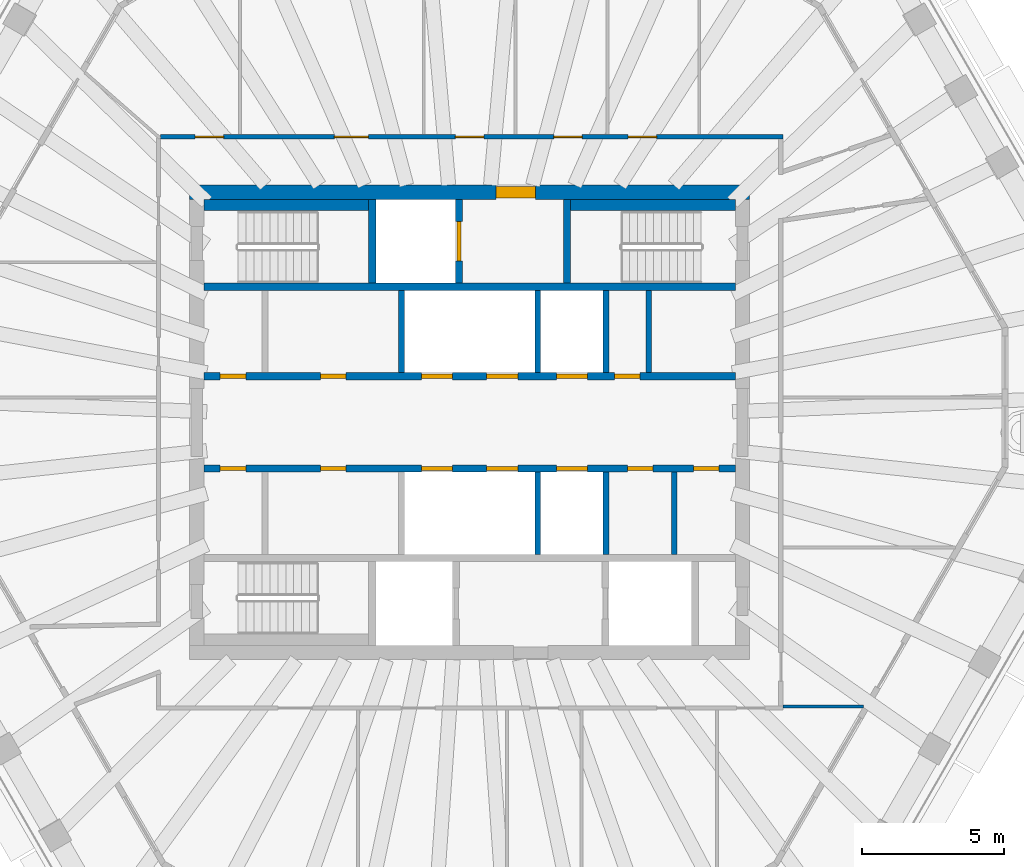
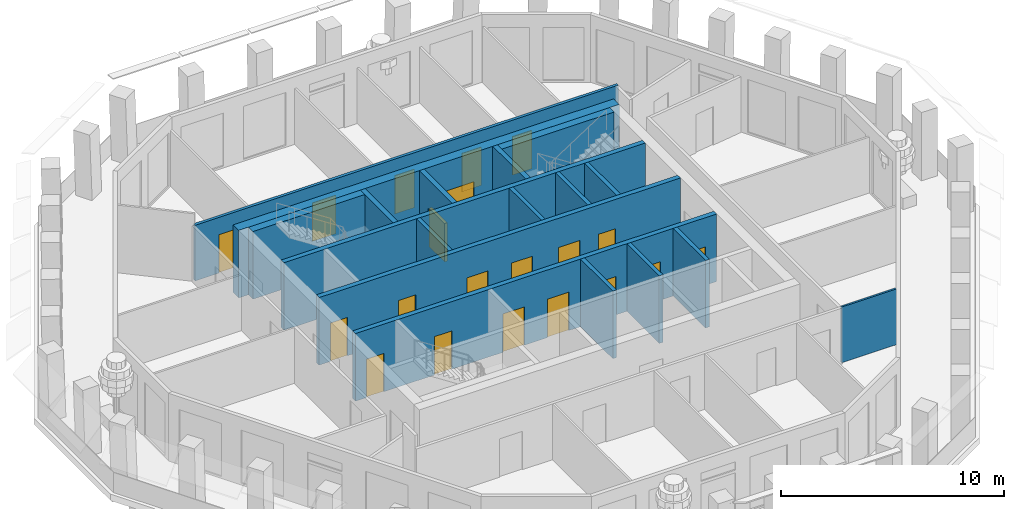
# One storey, part 5 of 11: 20 doors, 18 walls, 20 openings.
"""IFC4 building model written with IfcOpenShell, lengths in metres."""

from ifc_helpers import new_model, si_unit, direction, frame, frame_2d, origin, place, context, subcontext, project, spatial, rectangle, extrude, material, layer, layer_set, type_object, element, fill, save


model = new_model("IFC4")

# Units and contexts
model_context = context("Model", 3, precision=1e-05, world=origin(), true_north=direction((0.0, 1.0)))
body_context = subcontext(model_context, "Body", "Model", "MODEL_VIEW")
ifc_project = project(units=[si_unit("LENGTHUNIT", "METRE"), si_unit("AREAUNIT", "SQUARE_METRE"), si_unit("VOLUMEUNIT", "CUBIC_METRE"), si_unit("PLANEANGLEUNIT", "RADIAN"), si_unit("MASSUNIT", "GRAM", prefix="KILO")], contexts=[model_context])

# Site, building, storey
site_placement = place(None, origin())
site = spatial("IfcSite", under=ifc_project, at=site_placement, CompositionType="ELEMENT")
building_placement = place(site_placement, origin())
building = spatial("IfcBuilding", under=site, at=building_placement, Name="Frailejon Research Tower", CompositionType="ELEMENT")
storey_placement = place(building_placement, frame((0.0, 0.0, 336.60009765625)))
storey = spatial("IfcBuildingStorey", under=building, at=storey_placement, Name="L75", CompositionType="ELEMENT", Elevation=336.60009765625)

# Wall, opening, door
ifc_material_1 = material(Name="Concrete C50/60", Category="concrete")
ifc_layer_1 = layer(ifc_material_1, 0.5)
ifc_layer_set_1 = layer_set([ifc_layer_1], Name="Core shear wall 500 C50/60")
wall_type_1 = type_object("IfcWallType", Name="Core shear wall 500 C50/60", PredefinedType="SHEAR", material=ifc_layer_set_1)
wall_1_placement = place(storey_placement, frame((-9.85009765625, 8.10009765625, 0.0), z_axis=(0.0, 0.0, 1.0), x_axis=(1.0, 0.0, 0.0)))
wall_1 = element("IfcWall", 1, at=wall_1_placement, inside=storey, type_object=wall_type_1, Name="Core shear wall", PredefinedType="SHEAR", context=body_context, shape_type="SweptSolid", body=[
    extrude(rectangle(XDim=19.7001953125, YDim=0.5, at=frame_2d((9.85009765625, 0.0))), origin(), (0.0, 0.0, 1.0), 3.699951171875),
])
opening_1_placement = place(wall_1_placement, frame((10.77490234375, 0.0, 0.0)))
opening_1 = element("IfcOpeningElement", 2, at=opening_1_placement, cuts=wall_1, Name="Opening D9", PredefinedType="OPENING", context=body_context, shape_type="SweptSolid", body=[
    extrude(rectangle(XDim=1.39990234375, YDim=2.10009765625, at=frame_2d((0.699951171875, 1.050048828125))), frame((0.0, 0.260009765625, 0.0), z_axis=(0.0, -1.0, 0.0), x_axis=(1.0, 0.0, 0.0)), (0.0, 0.0, 1.0), 0.52001953125),
])
ifc_material_2 = material(Name="Steel", Category="steel")
door_type_1 = type_object("IfcDoorType", Name="Goods lobby door", OperationType="DOUBLE_DOOR_SINGLE_SWING", PredefinedType="DOOR", material=ifc_material_2)
door_1_placement = place(opening_1_placement, origin())
door_1 = element("IfcDoor", 3, at=door_1_placement, inside=storey, type_object=door_type_1, Name="Goods lobby door", OperationType="DOUBLE_DOOR_SINGLE_SWING", OverallHeight=2.10009765625, OverallWidth=1.39990234375, PredefinedType="DOOR", context=body_context, shape_type="SweptSolid", body=[
    extrude(rectangle(XDim=1.39990234375, YDim=2.10009765625, at=frame_2d((0.699951171875, 1.050048828125))), frame((0.0, 0.199951171875, 0.0), z_axis=(0.0, -1.0, 0.0), x_axis=(1.0, 0.0, 0.0)), (0.0, 0.0, 1.0), 0.39990234375),
])
fill(opening_1, door_1)

# Wall, openings, doors
ifc_material_3 = material(Name="Gypsum board and masonry partition", Category="masonry")
ifc_layer_2 = layer(ifc_material_3, 0.14990234375)
ifc_layer_set_2 = layer_set([ifc_layer_2], Name="Corridor wall EI 60, gypsum on steel studs 150")
wall_type_2 = type_object("IfcWallType", Name="Corridor wall EI 60, gypsum on steel studs 150", PredefinedType="PARTITIONING", material=ifc_layer_set_2)
wall_2_placement = place(storey_placement, frame((-10.875, 10.050048828125, 0.0), z_axis=(0.0, 0.0, 1.0), x_axis=(1.0, 0.0, 0.0)))
wall_2 = element("IfcWall", 4, at=wall_2_placement, inside=storey, type_object=wall_type_2, Name="T:IW:L75:005", PredefinedType="PARTITIONING", context=body_context, shape_type="SweptSolid", body=[
    extrude(rectangle(XDim=21.89990234375, YDim=0.14990234375, at=frame_2d((10.949951171875, 0.0))), origin(), (0.0, 0.0, 1.0), 3.0498046875),
])
opening_2_placement = place(wall_2_placement, frame((16.455810546875, 0.0, 0.0)))
opening_2 = element("IfcOpeningElement", 5, at=opening_2_placement, cuts=wall_2, Name="Opening D2399", PredefinedType="OPENING", context=body_context, shape_type="SweptSolid", body=[
    extrude(rectangle(XDim=1.0, YDim=2.10009765625, at=frame_2d((0.5, 1.050048828125))), frame((0.0, 0.0849609375, 0.0), z_axis=(0.0, -1.0, 0.0), x_axis=(1.0, 0.0, 0.0)), (0.0, 0.0, 1.0), 0.169921875),
])
opening_3_placement = place(wall_2_placement, frame((13.836669921875, 0.0, 0.0)))
opening_3 = element("IfcOpeningElement", 6, at=opening_3_placement, cuts=wall_2, Name="Opening D2400", PredefinedType="OPENING", context=body_context, shape_type="SweptSolid", body=[
    extrude(rectangle(XDim=1.0, YDim=2.10009765625, at=frame_2d((0.5, 1.050048828125))), frame((0.0, 0.0849609375, 0.0), z_axis=(0.0, -1.0, 0.0), x_axis=(1.0, 0.0, 0.0)), (0.0, 0.0, 1.0), 0.169921875),
])
opening_4_placement = place(wall_2_placement, frame((10.375, 0.0, 0.0)))
opening_4 = element("IfcOpeningElement", 7, at=opening_4_placement, cuts=wall_2, Name="Opening D2401", PredefinedType="OPENING", context=body_context, shape_type="SweptSolid", body=[
    extrude(rectangle(XDim=1.0, YDim=2.10009765625, at=frame_2d((0.5, 1.050048828125))), frame((0.0, 0.0849609375, 0.0), z_axis=(0.0, -1.0, 0.0), x_axis=(1.0, 0.0, 0.0)), (0.0, 0.0, 1.0), 0.169921875),
])
opening_5_placement = place(wall_2_placement, frame((6.11181640625, 0.0, 0.0)))
opening_5 = element("IfcOpeningElement", 8, at=opening_5_placement, cuts=wall_2, Name="Opening D2402", PredefinedType="OPENING", context=body_context, shape_type="SweptSolid", body=[
    extrude(rectangle(XDim=1.199951171875, YDim=2.10009765625, at=frame_2d((0.60009765625, 1.050048828125))), frame((0.0, 0.0849609375, 0.0), z_axis=(0.0, -1.0, 0.0), x_axis=(1.0, 0.0, 0.0)), (0.0, 0.0, 1.0), 0.169921875),
])
opening_6_placement = place(wall_2_placement, frame((1.22021484375, 0.0, 0.0)))
opening_6 = element("IfcOpeningElement", 9, at=opening_6_placement, cuts=wall_2, Name="Opening D2403", PredefinedType="OPENING", context=body_context, shape_type="SweptSolid", body=[
    extrude(rectangle(XDim=1.0, YDim=2.10009765625, at=frame_2d((0.5, 1.050048828125))), frame((0.0, 0.0849609375, 0.0), z_axis=(0.0, -1.0, 0.0), x_axis=(1.0, 0.0, 0.0)), (0.0, 0.0, 1.0), 0.169921875),
])
ifc_material_4 = material(Name="Timber door leaf", Category="wood")
door_type_2 = type_object("IfcDoorType", Name="Door single leaf, timber, steel frame 1000", OperationType="NOTDEFINED", PredefinedType="DOOR", material=ifc_material_4)
door_2_placement = place(opening_2_placement, origin())
door_2 = element("IfcDoor", 10, at=door_2_placement, inside=storey, type_object=door_type_2, Name="D2399", OperationType="SINGLE_SWING_LEFT", OverallHeight=2.10009765625, OverallWidth=1.0, PredefinedType="DOOR", context=body_context, shape_type="SweptSolid", body=[
    extrude(rectangle(XDim=1.0, YDim=2.10009765625, at=frame_2d((0.5, 1.050048828125))), frame((0.0, 0.02490234375, 0.0), z_axis=(0.0, -1.0, 0.0), x_axis=(1.0, 0.0, 0.0)), (0.0, 0.0, 1.0), 0.050048828125),
])
fill(opening_2, door_2)
door_3_placement = place(opening_3_placement, origin())
door_3 = element("IfcDoor", 11, at=door_3_placement, inside=storey, type_object=door_type_2, Name="D2400", OperationType="SINGLE_SWING_LEFT", OverallHeight=2.10009765625, OverallWidth=1.0, PredefinedType="DOOR", context=body_context, shape_type="SweptSolid", body=[
    extrude(rectangle(XDim=1.0, YDim=2.10009765625, at=frame_2d((0.5, 1.050048828125))), frame((0.0, 0.02490234375, 0.0), z_axis=(0.0, -1.0, 0.0), x_axis=(1.0, 0.0, 0.0)), (0.0, 0.0, 1.0), 0.050048828125),
])
fill(opening_3, door_3)
door_4_placement = place(opening_4_placement, origin())
door_4 = element("IfcDoor", 12, at=door_4_placement, inside=storey, type_object=door_type_2, Name="D2401", OperationType="SINGLE_SWING_LEFT", OverallHeight=2.10009765625, OverallWidth=1.0, PredefinedType="DOOR", context=body_context, shape_type="SweptSolid", body=[
    extrude(rectangle(XDim=1.0, YDim=2.10009765625, at=frame_2d((0.5, 1.050048828125))), frame((0.0, 0.02490234375, 0.0), z_axis=(0.0, -1.0, 0.0), x_axis=(1.0, 0.0, 0.0)), (0.0, 0.0, 1.0), 0.050048828125),
])
fill(opening_4, door_4)
door_5_placement = place(opening_6_placement, origin())
door_5 = element("IfcDoor", 13, at=door_5_placement, inside=storey, type_object=door_type_2, Name="D2403", OperationType="SINGLE_SWING_RIGHT", OverallHeight=2.10009765625, OverallWidth=1.0, PredefinedType="DOOR", context=body_context, shape_type="SweptSolid", body=[
    extrude(rectangle(XDim=1.0, YDim=2.10009765625, at=frame_2d((0.5, 1.050048828125))), frame((0.0, 0.02490234375, 0.0), z_axis=(0.0, -1.0, 0.0), x_axis=(1.0, 0.0, 0.0)), (0.0, 0.0, 1.0), 0.050048828125),
])
fill(opening_6, door_5)
ifc_material_5 = material(Name="Timber door leaf", Category="wood")
door_type_3 = type_object("IfcDoorType", Name="Door single leaf, timber, steel frame 1200", OperationType="NOTDEFINED", PredefinedType="DOOR", material=ifc_material_5)
door_6_placement = place(opening_5_placement, origin())
door_6 = element("IfcDoor", 14, at=door_6_placement, inside=storey, type_object=door_type_3, Name="D2402", OperationType="DOUBLE_DOOR_SINGLE_SWING", OverallHeight=2.10009765625, OverallWidth=1.199951171875, PredefinedType="DOOR", context=body_context, shape_type="SweptSolid", body=[
    extrude(rectangle(XDim=1.199951171875, YDim=2.10009765625, at=frame_2d((0.60009765625, 1.050048828125))), frame((0.0, 0.02490234375, 0.0), z_axis=(0.0, -1.0, 0.0), x_axis=(1.0, 0.0, 0.0)), (0.0, 0.0, 1.0), 0.050048828125),
])
fill(opening_5, door_6)

# Walls
ifc_material_6 = material(Name="Gypsum board and masonry partition", Category="masonry")
ifc_layer_3 = layer(ifc_material_6, 0.10009765625)
ifc_layer_set_3 = layer_set([ifc_layer_3], Name="Partition, gypsum on steel studs 100")
wall_type_3 = type_object("IfcWallType", Name="Partition, gypsum on steel studs 100", PredefinedType="PARTITIONING", material=ifc_layer_set_3)
wall_3_placement = place(storey_placement, frame((11.02490234375, -9.99951171875, 0.0), z_axis=(0.0, 0.0, 1.0), x_axis=(1.0, 0.0, 0.0)))
element("IfcWall", 15, at=wall_3_placement, inside=storey, type_object=wall_type_3, Name="T:IW:L75:024", PredefinedType="PARTITIONING", context=body_context, shape_type="SweptSolid", body=[
    extrude(rectangle(XDim=2.831787109375, YDim=0.10009765625, at=frame_2d((1.416015625, 0.0))), origin(), (0.0, 0.0, 1.0), 3.0498046875),
])
ifc_material_7 = material(Name="Concrete C50/60", Category="concrete")
ifc_layer_4 = layer(ifc_material_7, 0.199951171875)
ifc_layer_set_4 = layer_set([ifc_layer_4], Name="Shaft wall 200 C50/60")
wall_type_4 = type_object("IfcWallType", Name="Shaft wall 200 C50/60", PredefinedType="SOLIDWALL", material=ifc_layer_set_4)
for number, where, z_axis, x_axis, name in (
    (16, (-2.39990234375, 1.75, 0.0), (0.0, 0.0, 1.0), (0.0, 1.0, 0.0), "Shaft wall"),
    (17, (2.39990234375, 1.75, 0.0), (0.0, 0.0, 1.0), (0.0, 1.0, 0.0), "Shaft wall"),
    (18, (4.800048828125, 1.75, 0.0), (0.0, 0.0, 1.0), (0.0, 1.0, 0.0), "Shaft wall"),
    (19, (6.300048828125, 1.75, 0.0), (0.0, 0.0, 1.0), (0.0, 1.0, 0.0), "Shaft wall"),
    (20, (2.39990234375, -4.64990234375, 0.0), (0.0, 0.0, 1.0), (0.0, 1.0, 0.0), "Shaft wall"),
    (21, (4.800048828125, -4.64990234375, 0.0), (0.0, 0.0, 1.0), (0.0, 1.0, 0.0), "Shaft wall"),
    (22, (7.199951171875, -4.64990234375, 0.0), (0.0, 0.0, 1.0), (0.0, 1.0, 0.0), "Shaft wall"),
):
    element("IfcWall", number, at=place(storey_placement, frame(where, z_axis=z_axis, x_axis=x_axis)), inside=storey, type_object=wall_type_4, Name=name, PredefinedType="SOLIDWALL", context=body_context, shape_type="SweptSolid", body=[
        extrude(rectangle(XDim=2.89990234375, YDim=0.199951171875, at=frame_2d((1.449951171875, 0.0))), origin(), (0.0, 0.0, 1.0), 3.699951171875),
    ])

# Wall, openings, doors
ifc_material_8 = material(Name="Concrete C50/60", Category="concrete")
ifc_layer_5 = layer(ifc_material_8, 0.25)
ifc_layer_set_5 = layer_set([ifc_layer_5], Name="Shaft wall 250 C50/60")
wall_type_5 = type_object("IfcWallType", Name="Shaft wall 250 C50/60", PredefinedType="SOLIDWALL", material=ifc_layer_set_5)
wall_4_placement = place(storey_placement, frame((-9.35009765625, 1.625, 0.0), z_axis=(0.0, 0.0, 1.0), x_axis=(1.0, 0.0, 0.0)))
wall_4 = element("IfcWall", 23, at=wall_4_placement, inside=storey, type_object=wall_type_5, Name="Shaft wall", PredefinedType="SOLIDWALL", context=body_context, shape_type="SweptSolid", body=[
    extrude(rectangle(XDim=18.7001953125, YDim=0.25, at=frame_2d((9.35009765625, 0.0))), origin(), (0.0, 0.0, 1.0), 3.699951171875),
])
opening_7_placement = place(wall_4_placement, frame((7.64990234375, 0.0, 0.0)))
opening_7 = element("IfcOpeningElement", 24, at=opening_7_placement, cuts=wall_4, Name="Opening LD", PredefinedType="OPENING", context=body_context, shape_type="SweptSolid", body=[
    extrude(rectangle(XDim=1.10009765625, YDim=2.10009765625, at=frame_2d((0.550048828125, 1.050048828125))), frame((0.0, 0.135009765625, 0.0), z_axis=(0.0, -1.0, 0.0), x_axis=(1.0, 0.0, 0.0)), (0.0, 0.0, 1.0), 0.27001953125),
])
opening_8_placement = place(wall_4_placement, frame((9.949951171875, 0.0, 0.0)))
opening_8 = element("IfcOpeningElement", 25, at=opening_8_placement, cuts=wall_4, Name="Opening LD", PredefinedType="OPENING", context=body_context, shape_type="SweptSolid", body=[
    extrude(rectangle(XDim=1.10009765625, YDim=2.10009765625, at=frame_2d((0.550048828125, 1.050048828125))), frame((0.0, 0.135009765625, 0.0), z_axis=(0.0, -1.0, 0.0), x_axis=(1.0, 0.0, 0.0)), (0.0, 0.0, 1.0), 0.27001953125),
])
opening_9_placement = place(wall_4_placement, frame((12.39990234375, 0.0, 0.0)))
opening_9 = element("IfcOpeningElement", 26, at=opening_9_placement, cuts=wall_4, Name="Opening LD", PredefinedType="OPENING", context=body_context, shape_type="SweptSolid", body=[
    extrude(rectangle(XDim=1.10009765625, YDim=2.10009765625, at=frame_2d((0.550048828125, 1.050048828125))), frame((0.0, 0.135009765625, 0.0), z_axis=(0.0, -1.0, 0.0), x_axis=(1.0, 0.0, 0.0)), (0.0, 0.0, 1.0), 0.27001953125),
])
opening_10_placement = place(wall_4_placement, frame((0.574951171875, 0.0, 0.0)))
opening_10 = element("IfcOpeningElement", 27, at=opening_10_placement, cuts=wall_4, Name="Opening D8", PredefinedType="OPENING", context=body_context, shape_type="SweptSolid", body=[
    extrude(rectangle(XDim=0.89990234375, YDim=2.10009765625, at=frame_2d((0.449951171875, 1.050048828125))), frame((0.0, 0.135009765625, 0.0), z_axis=(0.0, -1.0, 0.0), x_axis=(1.0, 0.0, 0.0)), (0.0, 0.0, 1.0), 0.27001953125),
])
opening_11_placement = place(wall_4_placement, frame((4.10009765625, 0.0, 0.0)))
opening_11 = element("IfcOpeningElement", 28, at=opening_11_placement, cuts=wall_4, Name="Opening D8", PredefinedType="OPENING", context=body_context, shape_type="SweptSolid", body=[
    extrude(rectangle(XDim=0.89990234375, YDim=2.10009765625, at=frame_2d((0.449951171875, 1.050048828125))), frame((0.0, 0.135009765625, 0.0), z_axis=(0.0, -1.0, 0.0), x_axis=(1.0, 0.0, 0.0)), (0.0, 0.0, 1.0), 0.27001953125),
])
opening_12_placement = place(wall_4_placement, frame((14.449951171875, 0.0, 0.0)))
opening_12 = element("IfcOpeningElement", 29, at=opening_12_placement, cuts=wall_4, Name="Opening D8", PredefinedType="OPENING", context=body_context, shape_type="SweptSolid", body=[
    extrude(rectangle(XDim=0.89990234375, YDim=2.10009765625, at=frame_2d((0.449951171875, 1.050048828125))), frame((0.0, 0.135009765625, 0.0), z_axis=(0.0, -1.0, 0.0), x_axis=(1.0, 0.0, 0.0)), (0.0, 0.0, 1.0), 0.27001953125),
])
ifc_material_9 = material(Name="Steel", Category="steel")
door_type_4 = type_object("IfcDoorType", Name="Core room door", OperationType="SINGLE_SWING_LEFT", PredefinedType="DOOR", material=ifc_material_9)
door_7_placement = place(opening_10_placement, origin())
door_7 = element("IfcDoor", 30, at=door_7_placement, inside=storey, type_object=door_type_4, Name="Room door", OperationType="SINGLE_SWING_RIGHT", OverallHeight=2.10009765625, OverallWidth=0.89990234375, PredefinedType="DOOR", context=body_context, shape_type="SweptSolid", body=[
    extrude(rectangle(XDim=0.89990234375, YDim=2.10009765625, at=frame_2d((0.449951171875, 1.050048828125))), frame((0.0, 0.074951171875, 0.0), z_axis=(0.0, -1.0, 0.0), x_axis=(1.0, 0.0, 0.0)), (0.0, 0.0, 1.0), 0.14990234375),
])
fill(opening_10, door_7)
door_8_placement = place(opening_11_placement, origin())
door_8 = element("IfcDoor", 31, at=door_8_placement, inside=storey, type_object=door_type_4, Name="Room door", OperationType="SINGLE_SWING_LEFT", OverallHeight=2.10009765625, OverallWidth=0.89990234375, PredefinedType="DOOR", context=body_context, shape_type="SweptSolid", body=[
    extrude(rectangle(XDim=0.89990234375, YDim=2.10009765625, at=frame_2d((0.449951171875, 1.050048828125))), frame((0.0, 0.074951171875, 0.0), z_axis=(0.0, -1.0, 0.0), x_axis=(1.0, 0.0, 0.0)), (0.0, 0.0, 1.0), 0.14990234375),
])
fill(opening_11, door_8)
door_9_placement = place(opening_12_placement, origin())
door_9 = element("IfcDoor", 32, at=door_9_placement, inside=storey, type_object=door_type_4, Name="Room door", OperationType="SINGLE_SWING_RIGHT", OverallHeight=2.10009765625, OverallWidth=0.89990234375, PredefinedType="DOOR", context=body_context, shape_type="SweptSolid", body=[
    extrude(rectangle(XDim=0.89990234375, YDim=2.10009765625, at=frame_2d((0.449951171875, 1.050048828125))), frame((0.0, 0.074951171875, 0.0), z_axis=(0.0, -1.0, 0.0), x_axis=(1.0, 0.0, 0.0)), (0.0, 0.0, 1.0), 0.14990234375),
])
fill(opening_12, door_9)
ifc_material_10 = material(Name="Steel", Category="steel")
door_type_5 = type_object("IfcDoorType", Name="Lift landing door", OperationType="DOUBLE_DOOR_SLIDING", PredefinedType="DOOR", material=ifc_material_10)
door_10_placement = place(opening_7_placement, origin())
door_10 = element("IfcDoor", 33, at=door_10_placement, inside=storey, type_object=door_type_5, Name="Lift landing door", OperationType="DOUBLE_DOOR_SLIDING", OverallHeight=2.10009765625, OverallWidth=1.10009765625, PredefinedType="DOOR", context=body_context, shape_type="SweptSolid", body=[
    extrude(rectangle(XDim=1.10009765625, YDim=2.10009765625, at=frame_2d((0.550048828125, 1.050048828125))), frame((0.0, 0.074951171875, 0.0), z_axis=(0.0, -1.0, 0.0), x_axis=(1.0, 0.0, 0.0)), (0.0, 0.0, 1.0), 0.14990234375),
])
fill(opening_7, door_10)
door_11_placement = place(opening_8_placement, origin())
door_11 = element("IfcDoor", 34, at=door_11_placement, inside=storey, type_object=door_type_5, Name="Lift landing door", OperationType="DOUBLE_DOOR_SLIDING", OverallHeight=2.10009765625, OverallWidth=1.10009765625, PredefinedType="DOOR", context=body_context, shape_type="SweptSolid", body=[
    extrude(rectangle(XDim=1.10009765625, YDim=2.10009765625, at=frame_2d((0.550048828125, 1.050048828125))), frame((0.0, 0.074951171875, 0.0), z_axis=(0.0, -1.0, 0.0), x_axis=(1.0, 0.0, 0.0)), (0.0, 0.0, 1.0), 0.14990234375),
])
fill(opening_8, door_11)
door_12_placement = place(opening_9_placement, origin())
door_12 = element("IfcDoor", 35, at=door_12_placement, inside=storey, type_object=door_type_5, Name="Lift landing door", OperationType="DOUBLE_DOOR_SLIDING", OverallHeight=2.10009765625, OverallWidth=1.10009765625, PredefinedType="DOOR", context=body_context, shape_type="SweptSolid", body=[
    extrude(rectangle(XDim=1.10009765625, YDim=2.10009765625, at=frame_2d((0.550048828125, 1.050048828125))), frame((0.0, 0.074951171875, 0.0), z_axis=(0.0, -1.0, 0.0), x_axis=(1.0, 0.0, 0.0)), (0.0, 0.0, 1.0), 0.14990234375),
])
fill(opening_9, door_12)

# Wall
wall_5_placement = place(storey_placement, frame((-9.35009765625, 4.77490234375, 0.0), z_axis=(0.0, 0.0, 1.0), x_axis=(1.0, 0.0, 0.0)))
element("IfcWall", 36, at=wall_5_placement, inside=storey, type_object=wall_type_5, Name="Shaft wall", PredefinedType="SOLIDWALL", context=body_context, shape_type="SweptSolid", body=[
    extrude(rectangle(XDim=18.7001953125, YDim=0.25, at=frame_2d((9.35009765625, 0.0))), origin(), (0.0, 0.0, 1.0), 3.699951171875),
])

# Wall, openings, doors
wall_6_placement = place(storey_placement, frame((-9.35009765625, -1.625, 0.0), z_axis=(0.0, 0.0, 1.0), x_axis=(1.0, 0.0, 0.0)))
wall_6 = element("IfcWall", 37, at=wall_6_placement, inside=storey, type_object=wall_type_5, Name="Shaft wall", PredefinedType="SOLIDWALL", context=body_context, shape_type="SweptSolid", body=[
    extrude(rectangle(XDim=18.7001953125, YDim=0.25, at=frame_2d((9.35009765625, 0.0))), origin(), (0.0, 0.0, 1.0), 3.699951171875),
])
opening_13_placement = place(wall_6_placement, frame((7.64990234375, 0.0, 0.0)))
opening_13 = element("IfcOpeningElement", 38, at=opening_13_placement, cuts=wall_6, Name="Opening LD", PredefinedType="OPENING", context=body_context, shape_type="SweptSolid", body=[
    extrude(rectangle(XDim=1.10009765625, YDim=2.10009765625, at=frame_2d((0.550048828125, 1.050048828125))), frame((0.0, 0.135009765625, 0.0), z_axis=(0.0, -1.0, 0.0), x_axis=(1.0, 0.0, 0.0)), (0.0, 0.0, 1.0), 0.27001953125),
])
opening_14_placement = place(wall_6_placement, frame((9.949951171875, 0.0, 0.0)))
opening_14 = element("IfcOpeningElement", 39, at=opening_14_placement, cuts=wall_6, Name="Opening LD", PredefinedType="OPENING", context=body_context, shape_type="SweptSolid", body=[
    extrude(rectangle(XDim=1.10009765625, YDim=2.10009765625, at=frame_2d((0.550048828125, 1.050048828125))), frame((0.0, 0.135009765625, 0.0), z_axis=(0.0, -1.0, 0.0), x_axis=(1.0, 0.0, 0.0)), (0.0, 0.0, 1.0), 0.27001953125),
])
opening_15_placement = place(wall_6_placement, frame((12.39990234375, 0.0, 0.0)))
opening_15 = element("IfcOpeningElement", 40, at=opening_15_placement, cuts=wall_6, Name="Opening LD", PredefinedType="OPENING", context=body_context, shape_type="SweptSolid", body=[
    extrude(rectangle(XDim=1.10009765625, YDim=2.10009765625, at=frame_2d((0.550048828125, 1.050048828125))), frame((0.0, 0.135009765625, 0.0), z_axis=(0.0, -1.0, 0.0), x_axis=(1.0, 0.0, 0.0)), (0.0, 0.0, 1.0), 0.27001953125),
])
opening_16_placement = place(wall_6_placement, frame((0.574951171875, 0.0, 0.0)))
opening_16 = element("IfcOpeningElement", 41, at=opening_16_placement, cuts=wall_6, Name="Opening D8", PredefinedType="OPENING", context=body_context, shape_type="SweptSolid", body=[
    extrude(rectangle(XDim=0.89990234375, YDim=2.10009765625, at=frame_2d((0.449951171875, 1.050048828125))), frame((0.0, 0.135009765625, 0.0), z_axis=(0.0, -1.0, 0.0), x_axis=(1.0, 0.0, 0.0)), (0.0, 0.0, 1.0), 0.27001953125),
])
opening_17_placement = place(wall_6_placement, frame((4.10009765625, 0.0, 0.0)))
opening_17 = element("IfcOpeningElement", 42, at=opening_17_placement, cuts=wall_6, Name="Opening D8", PredefinedType="OPENING", context=body_context, shape_type="SweptSolid", body=[
    extrude(rectangle(XDim=0.89990234375, YDim=2.10009765625, at=frame_2d((0.449951171875, 1.050048828125))), frame((0.0, 0.135009765625, 0.0), z_axis=(0.0, -1.0, 0.0), x_axis=(1.0, 0.0, 0.0)), (0.0, 0.0, 1.0), 0.27001953125),
])
opening_18_placement = place(wall_6_placement, frame((14.89990234375, 0.0, 0.0)))
opening_18 = element("IfcOpeningElement", 43, at=opening_18_placement, cuts=wall_6, Name="Opening D8", PredefinedType="OPENING", context=body_context, shape_type="SweptSolid", body=[
    extrude(rectangle(XDim=0.89990234375, YDim=2.10009765625, at=frame_2d((0.449951171875, 1.050048828125))), frame((0.0, 0.135009765625, 0.0), z_axis=(0.0, -1.0, 0.0), x_axis=(1.0, 0.0, 0.0)), (0.0, 0.0, 1.0), 0.27001953125),
])
opening_19_placement = place(wall_6_placement, frame((17.22509765625, 0.0, 0.0)))
opening_19 = element("IfcOpeningElement", 44, at=opening_19_placement, cuts=wall_6, Name="Opening D8", PredefinedType="OPENING", context=body_context, shape_type="SweptSolid", body=[
    extrude(rectangle(XDim=0.89990234375, YDim=2.10009765625, at=frame_2d((0.449951171875, 1.050048828125))), frame((0.0, 0.135009765625, 0.0), z_axis=(0.0, -1.0, 0.0), x_axis=(1.0, 0.0, 0.0)), (0.0, 0.0, 1.0), 0.27001953125),
])
door_13_placement = place(opening_16_placement, origin())
door_13 = element("IfcDoor", 45, at=door_13_placement, inside=storey, type_object=door_type_4, Name="Room door", OperationType="SINGLE_SWING_LEFT", OverallHeight=2.10009765625, OverallWidth=0.89990234375, PredefinedType="DOOR", context=body_context, shape_type="SweptSolid", body=[
    extrude(rectangle(XDim=0.89990234375, YDim=2.10009765625, at=frame_2d((0.449951171875, 1.050048828125))), frame((0.0, 0.074951171875, 0.0), z_axis=(0.0, -1.0, 0.0), x_axis=(1.0, 0.0, 0.0)), (0.0, 0.0, 1.0), 0.14990234375),
])
fill(opening_16, door_13)
door_14_placement = place(opening_17_placement, origin())
door_14 = element("IfcDoor", 46, at=door_14_placement, inside=storey, type_object=door_type_4, Name="Room door", OperationType="SINGLE_SWING_RIGHT", OverallHeight=2.10009765625, OverallWidth=0.89990234375, PredefinedType="DOOR", context=body_context, shape_type="SweptSolid", body=[
    extrude(rectangle(XDim=0.89990234375, YDim=2.10009765625, at=frame_2d((0.449951171875, 1.050048828125))), frame((0.0, 0.074951171875, 0.0), z_axis=(0.0, -1.0, 0.0), x_axis=(1.0, 0.0, 0.0)), (0.0, 0.0, 1.0), 0.14990234375),
])
fill(opening_17, door_14)
door_15_placement = place(opening_18_placement, origin())
door_15 = element("IfcDoor", 47, at=door_15_placement, inside=storey, type_object=door_type_4, Name="Room door", OperationType="SINGLE_SWING_LEFT", OverallHeight=2.10009765625, OverallWidth=0.89990234375, PredefinedType="DOOR", context=body_context, shape_type="SweptSolid", body=[
    extrude(rectangle(XDim=0.89990234375, YDim=2.10009765625, at=frame_2d((0.449951171875, 1.050048828125))), frame((0.0, 0.074951171875, 0.0), z_axis=(0.0, -1.0, 0.0), x_axis=(1.0, 0.0, 0.0)), (0.0, 0.0, 1.0), 0.14990234375),
])
fill(opening_18, door_15)
door_16_placement = place(opening_19_placement, origin())
door_16 = element("IfcDoor", 48, at=door_16_placement, inside=storey, type_object=door_type_4, Name="Room door", OperationType="SINGLE_SWING_RIGHT", OverallHeight=2.10009765625, OverallWidth=0.89990234375, PredefinedType="DOOR", context=body_context, shape_type="SweptSolid", body=[
    extrude(rectangle(XDim=0.89990234375, YDim=2.10009765625, at=frame_2d((0.449951171875, 1.050048828125))), frame((0.0, 0.074951171875, 0.0), z_axis=(0.0, -1.0, 0.0), x_axis=(1.0, 0.0, 0.0)), (0.0, 0.0, 1.0), 0.14990234375),
])
fill(opening_19, door_16)
door_17_placement = place(opening_13_placement, origin())
door_17 = element("IfcDoor", 49, at=door_17_placement, inside=storey, type_object=door_type_5, Name="Lift landing door", OperationType="DOUBLE_DOOR_SLIDING", OverallHeight=2.10009765625, OverallWidth=1.10009765625, PredefinedType="DOOR", context=body_context, shape_type="SweptSolid", body=[
    extrude(rectangle(XDim=1.10009765625, YDim=2.10009765625, at=frame_2d((0.550048828125, 1.050048828125))), frame((0.0, 0.074951171875, 0.0), z_axis=(0.0, -1.0, 0.0), x_axis=(1.0, 0.0, 0.0)), (0.0, 0.0, 1.0), 0.14990234375),
])
fill(opening_13, door_17)
door_18_placement = place(opening_14_placement, origin())
door_18 = element("IfcDoor", 50, at=door_18_placement, inside=storey, type_object=door_type_5, Name="Lift landing door", OperationType="DOUBLE_DOOR_SLIDING", OverallHeight=2.10009765625, OverallWidth=1.10009765625, PredefinedType="DOOR", context=body_context, shape_type="SweptSolid", body=[
    extrude(rectangle(XDim=1.10009765625, YDim=2.10009765625, at=frame_2d((0.550048828125, 1.050048828125))), frame((0.0, 0.074951171875, 0.0), z_axis=(0.0, -1.0, 0.0), x_axis=(1.0, 0.0, 0.0)), (0.0, 0.0, 1.0), 0.14990234375),
])
fill(opening_14, door_18)
door_19_placement = place(opening_15_placement, origin())
door_19 = element("IfcDoor", 51, at=door_19_placement, inside=storey, type_object=door_type_5, Name="Lift landing door", OperationType="DOUBLE_DOOR_SLIDING", OverallHeight=2.10009765625, OverallWidth=1.10009765625, PredefinedType="DOOR", context=body_context, shape_type="SweptSolid", body=[
    extrude(rectangle(XDim=1.10009765625, YDim=2.10009765625, at=frame_2d((0.550048828125, 1.050048828125))), frame((0.0, 0.074951171875, 0.0), z_axis=(0.0, -1.0, 0.0), x_axis=(1.0, 0.0, 0.0)), (0.0, 0.0, 1.0), 0.14990234375),
])
fill(opening_15, door_19)

# Wall
wall_7_placement = place(storey_placement, frame((-3.425048828125, 4.89990234375, 0.0), z_axis=(0.0, 0.0, 1.0), x_axis=(0.0, 1.0, 0.0)))
element("IfcWall", 52, at=wall_7_placement, inside=storey, type_object=wall_type_5, Name="Shaft wall", PredefinedType="SOLIDWALL", context=body_context, shape_type="SweptSolid", body=[
    extrude(rectangle(XDim=2.9501953125, YDim=0.25, at=frame_2d((1.47509765625, 0.0))), origin(), (0.0, 0.0, 1.0), 3.699951171875),
])

# Wall, opening, door
wall_8_placement = place(storey_placement, frame((-0.375, 4.89990234375, 0.0), z_axis=(0.0, 0.0, 1.0), x_axis=(0.0, 1.0, 0.0)))
wall_8 = element("IfcWall", 53, at=wall_8_placement, inside=storey, type_object=wall_type_5, Name="Shaft wall", PredefinedType="SOLIDWALL", context=body_context, shape_type="SweptSolid", body=[
    extrude(rectangle(XDim=2.9501953125, YDim=0.25, at=frame_2d((1.47509765625, 0.0))), origin(), (0.0, 0.0, 1.0), 3.699951171875),
])
opening_20_placement = place(wall_8_placement, frame((0.77490234375, 0.0, 0.0)))
opening_20 = element("IfcOpeningElement", 54, at=opening_20_placement, cuts=wall_8, Name="Opening LD2", PredefinedType="OPENING", context=body_context, shape_type="SweptSolid", body=[
    extrude(rectangle(XDim=1.39990234375, YDim=2.10009765625, at=frame_2d((0.699951171875, 1.050048828125))), frame((0.0, 0.135009765625, 0.0), z_axis=(0.0, -1.0, 0.0), x_axis=(1.0, 0.0, 0.0)), (0.0, 0.0, 1.0), 0.27001953125),
])
ifc_material_11 = material(Name="Stainless steel", Category="steel")
door_type_6 = type_object("IfcDoorType", Name="Goods landing door", OperationType="DOUBLE_DOOR_SLIDING", PredefinedType="DOOR", material=ifc_material_11)
door_20_placement = place(opening_20_placement, origin())
door_20 = element("IfcDoor", 55, at=door_20_placement, inside=storey, type_object=door_type_6, Name="Lift landing door", OperationType="DOUBLE_DOOR_SLIDING", OverallHeight=2.10009765625, OverallWidth=1.39990234375, PredefinedType="DOOR", context=body_context, shape_type="SweptSolid", body=[
    extrude(rectangle(XDim=1.39990234375, YDim=2.10009765625, at=frame_2d((0.699951171875, 1.050048828125))), frame((0.0, 0.074951171875, 0.0), z_axis=(0.0, -1.0, 0.0), x_axis=(1.0, 0.0, 0.0)), (0.0, 0.0, 1.0), 0.14990234375),
])
fill(opening_20, door_20)

# Walls
wall_9_placement = place(storey_placement, frame((3.425048828125, 4.89990234375, 0.0), z_axis=(0.0, 0.0, 1.0), x_axis=(0.0, 1.0, 0.0)))
element("IfcWall", 56, at=wall_9_placement, inside=storey, type_object=wall_type_5, Name="Shaft wall", PredefinedType="SOLIDWALL", context=body_context, shape_type="SweptSolid", body=[
    extrude(rectangle(XDim=2.9501953125, YDim=0.25, at=frame_2d((1.47509765625, 0.0))), origin(), (0.0, 0.0, 1.0), 3.699951171875),
])
ifc_material_12 = material(Name="Concrete C50/60", Category="concrete")
ifc_layer_6 = layer(ifc_material_12, 0.39990234375)
ifc_layer_set_6 = layer_set([ifc_layer_6], Name="Shaft wall 400 C50/60")
wall_type_6 = type_object("IfcWallType", Name="Shaft wall 400 C50/60", PredefinedType="SOLIDWALL", material=ifc_layer_set_6)
for number, where, z_axis, x_axis, name in (
    (57, (-9.35009765625, 7.64990234375, 0.0), (0.0, 0.0, 1.0), (1.0, 0.0, 0.0), "Shaft wall"),
    (58, (3.550048828125, 7.64990234375, 0.0), (0.0, 0.0, 1.0), (1.0, 0.0, 0.0), "Shaft wall"),
):
    element("IfcWall", number, at=place(storey_placement, frame(where, z_axis=z_axis, x_axis=x_axis)), inside=storey, type_object=wall_type_6, Name=name, PredefinedType="SOLIDWALL", context=body_context, shape_type="SweptSolid", body=[
        extrude(rectangle(XDim=5.800048828125, YDim=0.39990234375, at=frame_2d((2.89990234375, 0.0))), origin(), (0.0, 0.0, 1.0), 3.699951171875),
    ])

save(model, "model.ifc")
